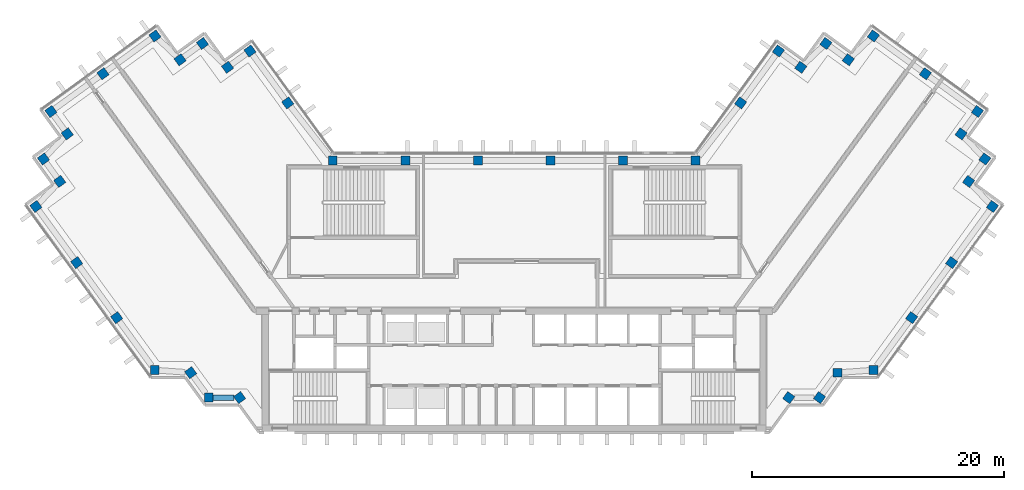
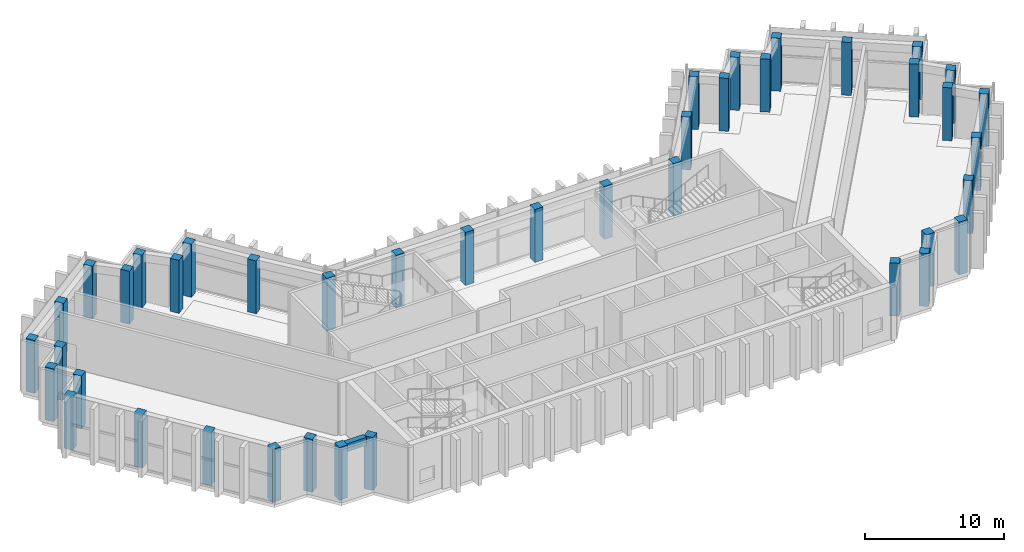
# One storey, part 1 of 14: 42 columns, 1 beam.
"""IFC4 building model written with IfcOpenShell, lengths in metres."""

from ifc_helpers import new_model, si_unit, direction, frame, origin, origin_2d, place, context, subcontext, project, spatial, rectangle, extrude, material, material_profile, profile_set, type_object, element, save


model = new_model("IFC4")

# Units and contexts
model_context = context("Model", 3, precision=1e-05, world=origin(), true_north=direction((0.0, 1.0)))
body_context = subcontext(model_context, "Body", "Model", "MODEL_VIEW")
ifc_project = project(units=[si_unit("LENGTHUNIT", "METRE"), si_unit("AREAUNIT", "SQUARE_METRE"), si_unit("VOLUMEUNIT", "CUBIC_METRE"), si_unit("PLANEANGLEUNIT", "RADIAN"), si_unit("MASSUNIT", "GRAM", prefix="KILO")], contexts=[model_context])

# Site, building, storey
site_placement = place(None, origin())
site = spatial("IfcSite", under=ifc_project, at=site_placement, CompositionType="ELEMENT")
building_placement = place(site_placement, origin())
building = spatial("IfcBuilding", under=site, at=building_placement, Name="Quipu Civic Tower", CompositionType="ELEMENT")
storey_placement = place(building_placement, frame((0.0, 0.0, 248.0)))
storey = spatial("IfcBuildingStorey", under=building, at=storey_placement, Name="L58", CompositionType="ELEMENT", Elevation=248.0)

# Columns
ifc_material_1 = material(Name="Concrete C50/60", Category="concrete")
ifc_material_profile_1 = material_profile(ifc_material_1, rectangle(XDim=0.699951171875, YDim=0.699951171875, at=origin_2d()), Name="RC700x700")
ifc_profile_set_1 = profile_set([ifc_material_profile_1], Name="Concrete C50/60")
column_type = type_object("IfcColumnType", Name="Perimeter column RC 700x700 C50/60", PredefinedType="COLUMN", material=ifc_profile_set_1)
for number, where, z_axis, x_axis, name in (
    (1, (-17.9736328125, 15.074951171875, 0.0), (0.0, 0.0, 1.0), (-0.587785252292, 0.809016994375, 0.0), "Column L58 W-IN-01"),
    (2, (-20.969970703125, 19.195068359375, 0.0), (0.0, 0.0, 1.0), (-0.587785252292, 0.809016994375, 0.0), "Column L58 T-Wi.0-W22"),
    (3, (-22.749267578125, 17.904296875, 0.0), (0.0, 0.0, 1.0), (-0.587785252292, 0.809016994375, 0.0), "Column L58 T-Wi.1-W22"),
    (4, (-24.739990234375, 19.794921875, 0.0), (0.0, 0.0, 1.0), (-0.587785252292, 0.809016994375, 0.0), "Column L58 T-Wi.2-W22"),
    (5, (-26.51904296875, 18.50048828125, 0.0), (0.0, 0.0, 1.0), (-0.587785252292, 0.809016994375, 0.0), "Column L58 T-Wi.3-W22"),
    (6, (-28.510009765625, 20.389892578125, 0.0), (0.0, 0.0, 1.0), (-0.809016994375, -0.587785252292, 0.0), "Column L58 T-Wi.4-W22"),
    (7, (-32.636962890625, 17.39306640625, 0.0), (0.0, 0.0, 1.0), (-0.809016994375, -0.587785252292, 0.0), "Column L58 TIP-W-01-W22"),
    (8, (-36.764892578125, 14.39501953125, 0.0), (0.0, 0.0, 1.0), (0.587785252292, -0.809016994375, 0.0), "Column L58 T-Wo.0-W22"),
    (9, (-35.470703125, 12.616455078125, 0.0), (0.0, 0.0, 1.0), (-0.809016994375, -0.587785252292, 0.0), "Column L58 T-Wo.1-W22"),
    (10, (-37.360107421875, 10.625, 0.0), (0.0, 0.0, 1.0), (0.587785252292, -0.809016994375, 0.0), "Column L58 T-Wo.2-W22"),
    (11, (-36.068115234375, 8.843994140625, 0.0), (0.0, 0.0, 1.0), (0.587785252292, -0.809016994375, 0.0), "Column L58 T-Wo.3-W22"),
    (12, (-37.9599609375, 6.85498046875, 0.0), (0.0, 0.0, 1.0), (0.587785252292, -0.809016994375, 0.0), "Column L58 T-Wo.4-W22"),
    (13, (-34.722412109375, 2.39990234375, 0.0), (0.0, 0.0, 1.0), (0.587785252292, -0.809016994375, 0.0), "Column L58 W-OUT-02"),
    (14, (-31.54833984375, -1.96875, 0.0), (0.0, 0.0, 1.0), (0.587785252292, -0.809016994375, 0.0), "Column L58 W-OUT-01"),
    (15, (-28.52490234375, -6.1298828125, 0.0), (0.0, 0.0, 1.0), (1.0, 0.0, 0.0), "Column L58 J-Wo.0"),
    (16, (-25.67431640625, -6.3369140625, 0.0), (0.0, 0.0, 1.0), (0.587785252292, -0.809016994375, 0.0), "Column L58 J-Wo.1"),
    (17, (-24.235107421875, -8.31494140625, 0.0), (0.0, 0.0, 1.0), (1.0, 0.0, 0.0), "Column L58 J-Wo.2"),
    (18, (-21.791748046875, -8.31494140625, 0.0), (0.0, 0.0, 1.0), (0.587785252292, -0.809016994375, 0.0), "Column L58 J-Wo.3"),
    (19, (21.791748046875, -8.31494140625, 0.0), (0.0, 0.0, 1.0), (0.587785252292, 0.809016994375, 0.0), "Column L58 J-Eo.1"),
    (20, (24.235107421875, -8.31494140625, 0.0), (0.0, 0.0, 1.0), (0.587785252292, 0.809016994375, 0.0), "Column L58 J-Eo.2"),
    (21, (25.67431640625, -6.3369140625, 0.0), (0.0, 0.0, 1.0), (1.0, 0.0, 0.0), "Column L58 J-Eo.3"),
    (22, (28.52490234375, -6.1298828125, 0.0), (0.0, 0.0, 1.0), (1.0, 0.0, 0.0), "Column L58 J-Eo.4"),
    (23, (31.54833984375, -1.96875, 0.0), (0.0, 0.0, 1.0), (0.587785252292, 0.809016994375, 0.0), "Column L58 E-OUT-01"),
    (24, (34.722412109375, 2.39990234375, 0.0), (0.0, 0.0, 1.0), (0.587785252292, 0.809016994375, 0.0), "Column L58 E-OUT-02"),
    (25, (37.9599609375, 6.85498046875, 0.0), (0.0, 0.0, 1.0), (0.587785252292, 0.809016994375, 0.0), "Column L58 T-Eo.0-E22"),
    (26, (36.068115234375, 8.843994140625, 0.0), (0.0, 0.0, 1.0), (0.587785252292, 0.809016994375, 0.0), "Column L58 T-Eo.1-E22"),
    (27, (37.360107421875, 10.625, 0.0), (0.0, 0.0, 1.0), (0.587785252292, 0.809016994375, 0.0), "Column L58 T-Eo.2-E22"),
    (28, (35.470703125, 12.616455078125, 0.0), (0.0, 0.0, 1.0), (-0.809016994375, 0.587785252292, 0.0), "Column L58 T-Eo.3-E22"),
    (29, (36.764892578125, 14.39501953125, 0.0), (0.0, 0.0, 1.0), (-0.809016994375, 0.587785252292, 0.0), "Column L58 T-Eo.4-E22"),
    (30, (32.636962890625, 17.39306640625, 0.0), (0.0, 0.0, 1.0), (-0.809016994375, 0.587785252292, 0.0), "Column L58 TIP-E-01-E22"),
    (31, (28.510009765625, 20.389892578125, 0.0), (0.0, 0.0, 1.0), (-0.587785252292, -0.809016994375, 0.0), "Column L58 T-Ei.0-E22"),
    (32, (26.51904296875, 18.50048828125, 0.0), (0.0, 0.0, 1.0), (-0.809016994375, 0.587785252292, 0.0), "Column L58 T-Ei.1-E22"),
    (33, (24.739990234375, 19.794921875, 0.0), (0.0, 0.0, 1.0), (-0.587785252292, -0.809016994375, 0.0), "Column L58 T-Ei.2-E22"),
    (34, (22.749267578125, 17.904296875, 0.0), (0.0, 0.0, 1.0), (-0.587785252292, -0.809016994375, 0.0), "Column L58 T-Ei.3-E22"),
    (35, (20.969970703125, 19.195068359375, 0.0), (0.0, 0.0, 1.0), (-0.587785252292, -0.809016994375, 0.0), "Column L58 T-Ei.4-E22"),
    (36, (17.9736328125, 15.074951171875, 0.0), (0.0, 0.0, 1.0), (-0.587785252292, -0.809016994375, 0.0), "Column L58 E-IN-01"),
    (37, (14.395263671875, 10.5, 0.0), (0.0, 0.0, 1.0), (-1.0, 0.0, 0.0), "Column L58 J-Ei.0"),
    (38, (8.63720703125, 10.5, 0.0), (0.0, 0.0, 1.0), (-1.0, 0.0, 0.0), "Column L58 FRONT-01"),
    (39, (2.87890625, 10.5, 0.0), (0.0, 0.0, 1.0), (-1.0, 0.0, 0.0), "Column L58 FRONT-02"),
    (40, (-2.87890625, 10.5, 0.0), (0.0, 0.0, 1.0), (-1.0, 0.0, 0.0), "Column L58 FRONT-03"),
    (41, (-8.63720703125, 10.5, 0.0), (0.0, 0.0, 1.0), (-1.0, 0.0, 0.0), "Column L58 FRONT-04"),
    (42, (-14.395263671875, 10.5, 0.0), (0.0, 0.0, 1.0), (-1.0, 0.0, 0.0), "Column L58 J-Wi.0"),
):
    element("IfcColumn", number, at=place(storey_placement, frame(where, z_axis=z_axis, x_axis=x_axis)), inside=storey, type_object=column_type, Name=name, PredefinedType="COLUMN", context=body_context, shape_type="SweptSolid", body=[
        extrude(rectangle(XDim=0.699951171875, YDim=0.699951171875, at=origin_2d()), origin(), (0.0, 0.0, 1.0), 4.64990234375),
    ])

# Beam
ifc_material_2 = material(Name="Concrete C50/60", Category="concrete")
ifc_material_profile_2 = material_profile(ifc_material_2, rectangle(XDim=0.449951171875, YDim=0.699951171875, at=origin_2d()), Name="RC450x700")
ifc_profile_set_2 = profile_set([ifc_material_profile_2], Name="Concrete C50/60")
beam_type = type_object("IfcBeamType", Name="Spandrel beam RC 450x700 C50/60", PredefinedType="SPANDREL", material=ifc_profile_set_2)
beam_placement = place(storey_placement, frame((-23.885009765625, -8.31494140625, 4.300048828125), z_axis=(1.0, 0.0, 0.0), x_axis=(0.0, 1.0, 0.0)))
element("IfcBeam", 43, at=beam_placement, inside=storey, type_object=beam_type, Name="Spandrel beam L58 J-Wo.2 to J-Wo.3", PredefinedType="SPANDREL", context=body_context, shape_type="SweptSolid", body=[
    extrude(rectangle(XDim=0.449951171875, YDim=0.699951171875, at=origin_2d()), origin(), (0.0, 0.0, 1.0), 1.66064453125),
])

save(model, "model.ifc")
